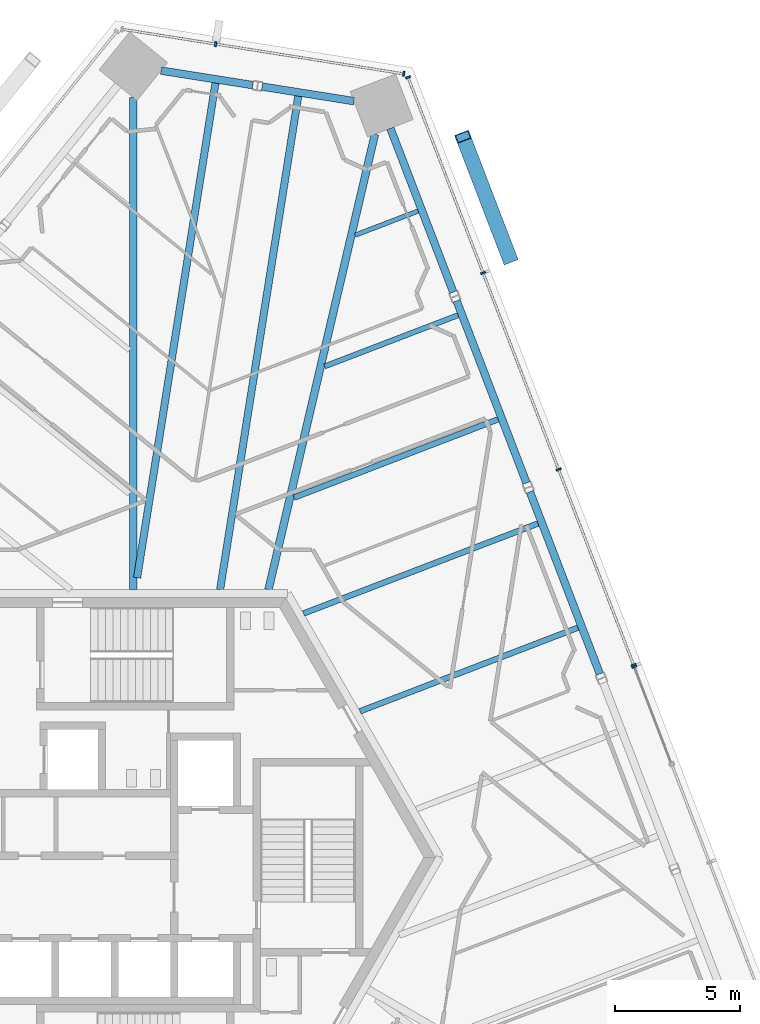
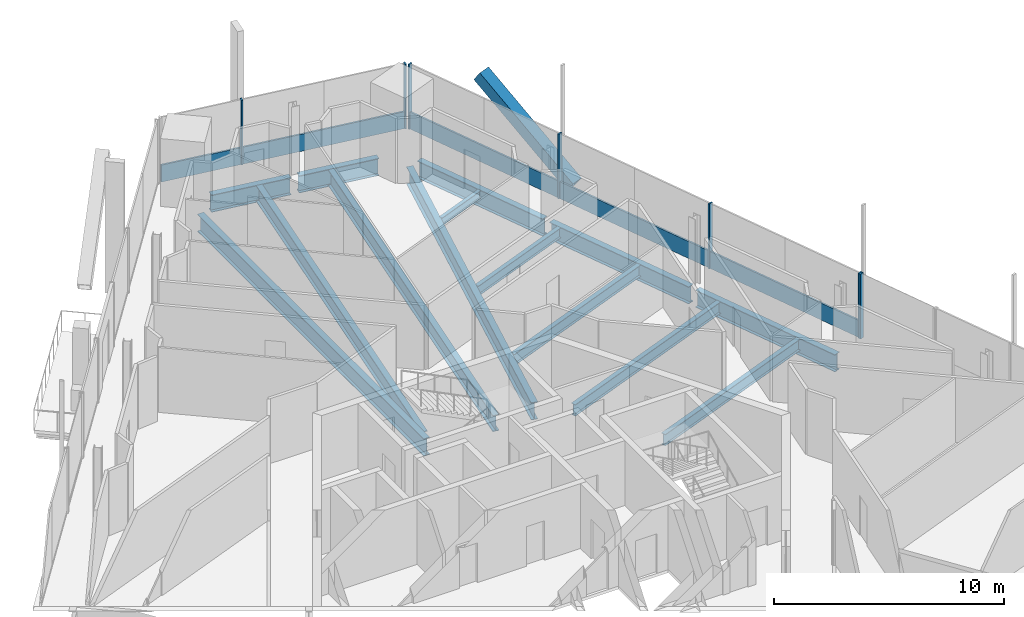
# One storey, part 9 of 23: 14 beams, 13 members, 3 elements without a shape of their own.
"""IFC4 building model written with IfcOpenShell, lengths in metres."""

import ifcopenshell
import ifcopenshell.guid

model = None  # the IFC model being written
_history = None  # IfcOwnerHistory: only IFC2X3 demands one
_inside = {}  # id of a spatial element -> (the spatial element, [elements in it])
_under = {}  # id of a project, library or spatial element -> (it, [spatial elements below it])
_declared = {}  # id of a project -> (the project, [libraries it declares])
_typed = {}  # id of a type object -> (the type object, [elements of that type])
_made_of = {}  # id of a material, layer set ... -> (it, [elements and type objects made of it])


def new_model(schema):
    """Start an empty IFC model of exactly this schema.

    Asked for "IFC4X3", IfcOpenShell would pick the latest addendum, in which some entities
    have other attributes; the version numbers below select the first issue.
    IFC2X3 requires an IfcOwnerHistory on every rooted entity: one is made here for all.
    """
    global model, _history
    if schema == "IFC4X3":
        model = ifcopenshell.file(schema_version=(4, 3, 0, 0))
    else:
        model = ifcopenshell.file(schema=schema)
    _inside.clear()
    _under.clear()
    _declared.clear()
    _typed.clear()
    _made_of.clear()
    _history = None
    if model.schema == "IFC2X3":
        org = make("IfcOrganization", Name="unknown")
        user = make(
            "IfcPersonAndOrganization",
            ThePerson=make("IfcPerson", FamilyName="unknown"),
            TheOrganization=org,
        )
        app = make(
            "IfcApplication",
            ApplicationDeveloper=org,
            Version="unknown",
            ApplicationFullName="unknown",
            ApplicationIdentifier="unknown",
        )
        _history = make(
            "IfcOwnerHistory",
            OwningUser=user,
            OwningApplication=app,
            ChangeAction="ADDED",
            CreationDate=0,
        )
    return model


def make(cls, **values):
    """One entity of the class cls with the attributes given. An attribute that is None is left unset."""
    return model.create_entity(
        cls, **{name: value for name, value in values.items() if value is not None}
    )


def rooted(cls, **values):
    """An entity with a GlobalId (a new one), such as an element, a storey or a relation."""
    return make(cls, GlobalId=ifcopenshell.guid.new(), OwnerHistory=_history, **values)


def si_unit(unit_type, name, prefix=None):
    """IfcSIUnit, for example si_unit("LENGTHUNIT", "METRE", prefix="MILLI")."""
    return make("IfcSIUnit", UnitType=unit_type, Prefix=prefix, Name=name)


def assignment(units):
    """IfcUnitAssignment: the units of a project."""
    return None if units is None else make("IfcUnitAssignment", Units=units)


def point(xyz):
    """IfcCartesianPoint."""
    return None if xyz is None else make("IfcCartesianPoint", Coordinates=xyz)


def direction(xyz):
    """IfcDirection."""
    return None if xyz is None else make("IfcDirection", DirectionRatios=xyz)


def frame(location, z_axis=None, x_axis=None):
    """IfcAxis2Placement3D, a coordinate frame: its origin and axes. An axis left out is left unset."""
    return make(
        "IfcAxis2Placement3D",
        Location=point(location),
        Axis=direction(z_axis),
        RefDirection=direction(x_axis),
    )


def frame_2d(location, x_axis=None):
    """IfcAxis2Placement2D, a coordinate frame in the plane: its origin and x axis."""
    return make(
        "IfcAxis2Placement2D", Location=point(location), RefDirection=direction(x_axis)
    )


def origin():
    """The frame at (0, 0, 0) with its axes left unset."""
    return frame((0.0, 0.0, 0.0))


def origin_2d():
    """The frame at (0, 0) in the plane with its x axis left unset."""
    return frame_2d((0.0, 0.0))


def place(relative_to, where):
    """IfcLocalPlacement: puts the frame where relative to a parent placement (None: the world)."""
    return make(
        "IfcLocalPlacement", PlacementRelTo=relative_to, RelativePlacement=where
    )


def context(
    kind, dimensions, precision=None, world=None, true_north=None, identifier=None
):
    """IfcGeometricRepresentationContext, for example the 3D "Model" context."""
    return make(
        "IfcGeometricRepresentationContext",
        ContextIdentifier=identifier,
        ContextType=kind,
        CoordinateSpaceDimension=dimensions,
        Precision=precision,
        WorldCoordinateSystem=world,
        TrueNorth=true_north,
    )


def subcontext(parent, identifier, kind, view, scale=None):
    """IfcGeometricRepresentationSubContext, for example "Body" below "Model"."""
    return make(
        "IfcGeometricRepresentationSubContext",
        ContextIdentifier=identifier,
        ContextType=kind,
        ParentContext=parent,
        TargetScale=scale,
        TargetView=view,
    )


def project(units=None, contexts=None):
    """IfcProject with its units and contexts."""
    return rooted(
        "IfcProject",
        Name="project",
        RepresentationContexts=contexts,
        UnitsInContext=assignment(units),
    )


def spatial(cls, under=None, at=None, **own):
    """A site, building, storey or space (cls), placed at a placement, below another one or the project."""
    s = rooted(cls, ObjectPlacement=at, **own)
    if under is not None:
        _under.setdefault(under.id(), (under, []))[1].append(s)
    return s


def profile(cls, at=None, kind="AREA", **sizes):
    """A parametric profile (cls). Its sizes go by their IFC names, for example OverallWidth=200.0."""
    return make(cls, ProfileType=kind, Position=at, **sizes)


def rectangle(**sizes):
    """IfcRectangleProfileDef."""
    return profile("IfcRectangleProfileDef", **sizes)


def hollow_rectangle(**sizes):
    """IfcRectangleHollowProfileDef."""
    return profile("IfcRectangleHollowProfileDef", **sizes)


def i_section(**sizes):
    """IfcIShapeProfileDef."""
    return profile("IfcIShapeProfileDef", **sizes)


def extrude(swept, where, along, depth):
    """IfcExtrudedAreaSolid: the profile swept, set in the frame where, extruded along a direction by depth."""
    return make(
        "IfcExtrudedAreaSolid",
        SweptArea=swept,
        Position=where,
        ExtrudedDirection=direction(along),
        Depth=depth,
    )


def shape(context_of_items, identifier, shape_type, items):
    """IfcShapeRepresentation: the items that make up one representation, for example the "Body"."""
    return make(
        "IfcShapeRepresentation",
        ContextOfItems=context_of_items,
        RepresentationIdentifier=identifier,
        RepresentationType=shape_type,
        Items=items,
    )


def source(mapping_origin, context_of_items, identifier, shape_type, items):
    """IfcRepresentationMap: a shape defined once, which mapped items show again and again."""
    return make(
        "IfcRepresentationMap",
        MappingOrigin=mapping_origin,
        MappedRepresentation=shape(context_of_items, identifier, shape_type, items),
    )


def transform(
    local_origin,
    x_axis=None,
    y_axis=None,
    z_axis=None,
    scale=None,
    scale2=None,
    scale3=None,
    uniform=True,
):
    """IfcCartesianTransformationOperator3D, or its non-uniform kind. x_axis, y_axis, z_axis: its Axis1, 2, 3."""
    if uniform:
        return make(
            "IfcCartesianTransformationOperator3D",
            Axis1=direction(x_axis),
            Axis2=direction(y_axis),
            LocalOrigin=point(local_origin),
            Scale=scale,
            Axis3=direction(z_axis),
        )
    return make(
        "IfcCartesianTransformationOperator3DnonUniform",
        Axis1=direction(x_axis),
        Axis2=direction(y_axis),
        LocalOrigin=point(local_origin),
        Scale=scale,
        Axis3=direction(z_axis),
        Scale2=scale2,
        Scale3=scale3,
    )


def mapped(mapping_source, mapping_target):
    """IfcMappedItem: shows the shape of a source again, moved by a transform."""
    return make(
        "IfcMappedItem", MappingSource=mapping_source, MappingTarget=mapping_target
    )


def material(Name=None, Category=None):
    """IfcMaterial."""
    return make("IfcMaterial", Name=Name, Category=Category)


def material_profile(
    of_material, cross_section, Name=None, Category=None, Priority=None
):
    """IfcMaterialProfile: a cross section and its material."""
    return make(
        "IfcMaterialProfile",
        Name=Name,
        Material=of_material,
        Profile=cross_section,
        Priority=Priority,
        Category=Category,
    )


def profile_set(profiles, Name=None, composite=None):
    """IfcMaterialProfileSet."""
    return make(
        "IfcMaterialProfileSet",
        Name=Name,
        MaterialProfiles=profiles,
        CompositeProfile=composite,
    )


def made_of(thing, what):
    """Note that an element or type object is made of a material, layer set ...; save() writes the relation."""
    if what is not None:
        _made_of.setdefault(what.id(), (what, []))[1].append(thing)
    return thing


def type_object(cls, material=None, **own):
    """A type object (cls), such as IfcWallType, which elements share."""
    return made_of(rooted(cls, **own), material)


def element(
    cls,
    number,
    at=None,
    inside=None,
    cuts=None,
    type_object=None,
    material=None,
    context=None,
    identifier="Body",
    shape_type=None,
    held_by="IfcProductDefinitionShape",
    body=None,
    shapes=None,
    **own,
):
    """One element of the class cls, such as IfcWall. Its Tag is "e" and its number.

    at: its placement. inside: the storey or other place that contains it. cuts: it is an
    opening in that element (IfcRelVoidsElement). A single representation is given by context,
    identifier, shape_type and body (its items); several are given by shapes. held_by: the class
    of the entity that holds the representations. save() writes the other relations.
    """
    e = rooted(cls, Tag="e%d" % number, ObjectPlacement=at, **own)
    if body is not None:
        shapes = [shape(context, identifier, shape_type, body)]
    if shapes is not None:
        e.Representation = make(held_by, Representations=shapes)
    if inside is not None:
        _inside.setdefault(inside.id(), (inside, []))[1].append(e)
    if cuts is not None:
        rooted(
            "IfcRelVoidsElement", RelatingBuildingElement=cuts, RelatedOpeningElement=e
        )
    if type_object is not None:
        _typed.setdefault(type_object.id(), (type_object, []))[1].append(e)
    return made_of(e, material)


def aggregate(whole, parts):
    """IfcRelAggregates: a whole, such as a stair, and the parts it consists of."""
    return rooted("IfcRelAggregates", RelatingObject=whole, RelatedObjects=parts)


def save(model, path):
    """Write the relations noted so far, then the file.

    IfcRelAggregates (storeys below a building ...), IfcRelContainedInSpatialStructure (elements
    in a storey), IfcRelDefinesByType, IfcRelAssociatesMaterial and IfcRelDeclares: one each for
    every whole, place, type object, material and project.
    """
    for whole, parts in _under.values():
        aggregate(whole, parts)
    for where, things in _inside.values():
        rooted(
            "IfcRelContainedInSpatialStructure",
            RelatedElements=things,
            RelatingStructure=where,
        )
    for kind, things in _typed.values():
        rooted("IfcRelDefinesByType", RelatedObjects=things, RelatingType=kind)
    for what, things in _made_of.values():
        rooted("IfcRelAssociatesMaterial", RelatedObjects=things, RelatingMaterial=what)
    for by, libraries in _declared.values():
        rooted("IfcRelDeclares", RelatingContext=by, RelatedDefinitions=libraries)
    model.write(path)


model = new_model("IFC4")

# Units and contexts
model_context = context("Model", 3, precision=1e-05, world=origin(), true_north=direction((0.0, 1.0)))
body_context = subcontext(model_context, "Body", "Model", "MODEL_VIEW")
ifc_project = project(units=[si_unit("LENGTHUNIT", "METRE"), si_unit("AREAUNIT", "SQUARE_METRE"), si_unit("VOLUMEUNIT", "CUBIC_METRE"), si_unit("PLANEANGLEUNIT", "RADIAN"), si_unit("MASSUNIT", "GRAM", prefix="KILO")], contexts=[model_context])

# Site, building, storey
site_placement = place(None, origin())
site = spatial("IfcSite", under=ifc_project, at=site_placement, CompositionType="ELEMENT")
building_placement = place(site_placement, origin())
building = spatial("IfcBuilding", under=site, at=building_placement, Name="Triune Harvest Tower", CompositionType="ELEMENT")
storey_placement = place(building_placement, frame((0.0, 0.0, 167.699951171875)))
storey = spatial("IfcBuildingStorey", under=building, at=storey_placement, Name="L43", CompositionType="ELEMENT", Elevation=167.699951171875)

# Beams
ifc_material_1 = material(Name="Steel ASTM A992 Gr 50", Category="steel")
ifc_material_profile_1 = material_profile(ifc_material_1, i_section(OverallWidth=0.3046875, OverallDepth=0.914306640625, WebThickness=0.0166015625, FlangeThickness=0.02587890625, at=origin_2d()), Name="W36x160")
ifc_profile_set_1 = profile_set([ifc_material_profile_1], Name="Steel ASTM A992 Gr 50")
beam_type_1 = type_object("IfcBeamType", Name="SB-1 Spandrel beam W36x160", PredefinedType="SPANDREL", material=ifc_profile_set_1)
shared_shape_1 = source(origin(), body_context, "Body", "SweptSolid", [
    extrude(i_section(OverallWidth=0.3046875, OverallDepth=0.914306640625, WebThickness=0.0166015625, FlangeThickness=0.02587890625, at=origin_2d()), origin(), (0.0, 0.0, 1.0), 7.013427734375),
])
beam_1_placement = place(storey_placement, frame((12.709716796875, 22.592041015625, -0.6171875), z_axis=(-0.358372513984, 0.93357867436, 0.0), x_axis=(-0.93357867436, -0.358372513984, 0.0)))
element("IfcBeam", 1, at=beam_1_placement, inside=storey, type_object=beam_type_1, Name="beam/L43/SB6", PredefinedType="SPANDREL", context=body_context, shape_type="MappedRepresentation", body=[
    mapped(shared_shape_1, transform((0.0, 0.0, 0.0), scale=1.0)),
])
shared_shape_2 = source(origin(), body_context, "Body", "SweptSolid", [
    extrude(i_section(OverallWidth=0.3046875, OverallDepth=0.914306640625, WebThickness=0.0166015625, FlangeThickness=0.02587890625, at=origin_2d()), origin(), (0.0, 0.0, 1.0), 7.8017578125),
])
for number, where, z_axis, x_axis, name in (
    (2, (18.569091796875, 7.327880859375, -0.6171875), (-0.358372974677, 0.933578497514, 0.0), (-0.933578497514, -0.358372974677, 0.0), "beam/L43/SB4"),
    (3, (15.639404296875, 14.9599609375, -0.6171875), (-0.358372974677, 0.933578497514, 0.0), (-0.933578497514, -0.358372974677, 0.0), "beam/L43/SB5"),
):
    element("IfcBeam", number, at=place(storey_placement, frame(where, z_axis=z_axis, x_axis=x_axis)), inside=storey, type_object=beam_type_1, Name=name, PredefinedType="SPANDREL", context=body_context, shape_type="MappedRepresentation", body=[
        mapped(shared_shape_2, transform((0.0, 0.0, 0.0), scale=1.0)),
    ])
shared_shape_3 = source(origin(), body_context, "Body", "SweptSolid", [
    extrude(i_section(OverallWidth=0.3046875, OverallDepth=0.914306640625, WebThickness=0.0166015625, FlangeThickness=0.02587890625, at=origin_2d()), origin(), (0.0, 0.0, 1.0), 3.71240234375),
])
for number, where, z_axis, x_axis, name in (
    (4, (8.735107421875, 30.225830078125, -0.6171875), (-0.987686063537, 0.156448841145, 0.0), (-0.156448841145, -0.987686063537, 0.0), "beam/L43/SB7"),
    (5, (4.699462890625, 30.864990234375, -0.6171875), (-0.987686063537, 0.156448841145, 0.0), (-0.156448841145, -0.987686063537, 0.0), "beam/L43/SB8"),
):
    element("IfcBeam", number, at=place(storey_placement, frame(where, z_axis=z_axis, x_axis=x_axis)), inside=storey, type_object=beam_type_1, Name=name, PredefinedType="SPANDREL", context=body_context, shape_type="MappedRepresentation", body=[
        mapped(shared_shape_3, transform((0.0, 0.0, 0.0), scale=1.0)),
    ])
ifc_material_2 = material(Name="Steel ASTM A992 Gr 50", Category="steel")
ifc_material_profile_2 = material_profile(ifc_material_2, i_section(OverallWidth=0.307373046875, OverallDepth=0.922119140625, WebThickness=0.018310546875, FlangeThickness=0.030029296875, at=origin_2d()), Name="W36x182")
ifc_profile_set_2 = profile_set([ifc_material_profile_2], Name="Steel ASTM A992 Gr 50")
beam_type_2 = type_object("IfcBeamType", Name="HG-2 Hip girder W36x182", PredefinedType="BEAM", material=ifc_profile_set_2)
shared_shape_4 = source(origin(), body_context, "Body", "SweptSolid", [
    extrude(i_section(OverallWidth=0.307373046875, OverallDepth=0.922119140625, WebThickness=0.018310546875, FlangeThickness=0.030029296875, at=origin_2d()), origin(), (0.0, 0.0, 1.0), 18.6962890625),
])
beam_2_placement = place(storey_placement, frame((9.578857421875, 28.902587890625, -0.620849609375), z_axis=(-0.227605246905, -0.973753486043, 0.0), x_axis=(0.973753486043, -0.227605246905, 0.0)))
element("IfcBeam", 6, at=beam_2_placement, inside=storey, type_object=beam_type_2, Name="beam/L43/HG3", PredefinedType="BEAM", context=body_context, shape_type="MappedRepresentation", body=[
    mapped(shared_shape_4, transform((0.0, 0.0, 0.0), scale=1.0)),
])
shared_shape_5 = source(origin(), body_context, "Body", "SweptSolid", [
    extrude(i_section(OverallWidth=0.307373046875, OverallDepth=0.922119140625, WebThickness=0.018310546875, FlangeThickness=0.030029296875, at=origin_2d()), origin(), (0.0, 0.0, 1.0), 19.670166015625),
])
beam_3_placement = place(storey_placement, frame((-0.0791015625, 30.3671875, -0.620849609375), z_axis=(0.0, -1.0, 0.0), x_axis=(1.0, 0.0, 0.0)))
element("IfcBeam", 7, at=beam_3_placement, inside=storey, type_object=beam_type_2, Name="beam/L43/HG4", PredefinedType="BEAM", context=body_context, shape_type="MappedRepresentation", body=[
    mapped(shared_shape_5, transform((0.0, 0.0, 0.0), scale=1.0)),
])
ifc_material_3 = material(Name="Steel ASTM A992 Gr 50", Category="steel")
ifc_material_profile_3 = material_profile(ifc_material_3, i_section(OverallWidth=0.22900390625, OverallDepth=0.612060546875, WebThickness=0.011962890625, FlangeThickness=0.01953125, at=origin_2d()), Name="W24x84")
ifc_profile_set_3 = profile_set([ifc_material_profile_3], Name="Steel ASTM A992 Gr 50")
beam_type_3 = type_object("IfcBeamType", Name="JT-3 Floor joist W24x84", PredefinedType="JOIST", material=ifc_profile_set_3)
shared_shape_6 = source(origin(), body_context, "Body", "SweptSolid", [
    extrude(i_section(OverallWidth=0.22900390625, OverallDepth=0.612060546875, WebThickness=0.011962890625, FlangeThickness=0.01953125, at=origin_2d()), origin(), (0.0, 0.0, 1.0), 9.33203125),
])
beam_4_placement = place(storey_placement, frame((17.694580078125, 9.180419921875, -0.466064453125), z_axis=(-0.933582072806, -0.358363660734, 0.0), x_axis=(0.358363660734, -0.933582072806, 0.0)))
element("IfcBeam", 8, at=beam_4_placement, inside=storey, type_object=beam_type_3, Name="beam/L43/JT6", PredefinedType="JOIST", context=body_context, shape_type="MappedRepresentation", body=[
    mapped(shared_shape_6, transform((0.0, 0.0, 0.0), scale=1.0)),
])
shared_shape_7 = source(origin(), body_context, "Body", "SweptSolid", [
    extrude(i_section(OverallWidth=0.22900390625, OverallDepth=0.612060546875, WebThickness=0.011962890625, FlangeThickness=0.01953125, at=origin_2d()), origin(), (0.0, 0.0, 1.0), 10.038330078125),
])
beam_5_placement = place(storey_placement, frame((16.0966796875, 13.343505859375, -0.466064453125), z_axis=(-0.933580465952, -0.358367846762, 0.0), x_axis=(0.358367846762, -0.933580465952, 0.0)))
element("IfcBeam", 9, at=beam_5_placement, inside=storey, type_object=beam_type_3, Name="beam/L43/JT7", PredefinedType="JOIST", context=body_context, shape_type="MappedRepresentation", body=[
    mapped(shared_shape_7, transform((0.0, 0.0, 0.0), scale=1.0)),
])
shared_shape_8 = source(origin(), body_context, "Body", "SweptSolid", [
    extrude(i_section(OverallWidth=0.22900390625, OverallDepth=0.612060546875, WebThickness=0.011962890625, FlangeThickness=0.01953125, at=origin_2d()), origin(), (0.0, 0.0, 1.0), 8.738037109375),
])
beam_6_placement = place(storey_placement, frame((14.498779296875, 17.50634765625, -0.466064453125), z_axis=(-0.933584472757, -0.358357408499, 0.0), x_axis=(0.358357408499, -0.933584472757, 0.0)))
element("IfcBeam", 10, at=beam_6_placement, inside=storey, type_object=beam_type_3, Name="beam/L43/JT8", PredefinedType="JOIST", context=body_context, shape_type="MappedRepresentation", body=[
    mapped(shared_shape_8, transform((0.0, 0.0, 0.0), scale=1.0)),
])
ifc_material_4 = material(Name="Steel ASTM A992 Gr 50", Category="steel")
ifc_material_profile_4 = material_profile(ifc_material_4, i_section(OverallWidth=0.2099609375, OverallDepth=0.535888671875, WebThickness=0.010986328125, FlangeThickness=0.017333984375, at=origin_2d()), Name="W21x68")
ifc_profile_set_4 = profile_set([ifc_material_profile_4], Name="Steel ASTM A992 Gr 50")
beam_type_4 = type_object("IfcBeamType", Name="JT-2 Floor joist W21x68", PredefinedType="JOIST", material=ifc_profile_set_4)
shared_shape_9 = source(origin(), body_context, "Body", "SweptSolid", [
    extrude(i_section(OverallWidth=0.2099609375, OverallDepth=0.535888671875, WebThickness=0.010986328125, FlangeThickness=0.017333984375, at=origin_2d()), origin(), (0.0, 0.0, 1.0), 5.712890625),
])
beam_7_placement = place(storey_placement, frame((12.90087890625, 21.669189453125, -0.427978515625), z_axis=(-0.933593203906, -0.358334661483, 0.0), x_axis=(0.358334661483, -0.933593203906, 0.0)))
element("IfcBeam", 11, at=beam_7_placement, inside=storey, type_object=beam_type_4, Name="beam/L43/JT9", PredefinedType="JOIST", context=body_context, shape_type="MappedRepresentation", body=[
    mapped(shared_shape_9, transform((0.0, 0.0, 0.0), scale=1.0)),
])
ifc_material_5 = material(Name="Steel ASTM A992 Gr 50", Category="steel")
ifc_material_profile_5 = material_profile(ifc_material_5, i_section(OverallWidth=0.180908203125, OverallDepth=0.41650390625, WebThickness=0.010986328125, FlangeThickness=0.01806640625, at=origin_2d()), Name="W16x57")
ifc_profile_set_5 = profile_set([ifc_material_profile_5], Name="Steel ASTM A992 Gr 50")
beam_type_5 = type_object("IfcBeamType", Name="JT-1 Floor joist W16x57", PredefinedType="JOIST", material=ifc_profile_set_5)
shared_shape_10 = source(origin(), body_context, "Body", "SweptSolid", [
    extrude(i_section(OverallWidth=0.180908203125, OverallDepth=0.41650390625, WebThickness=0.010986328125, FlangeThickness=0.01806640625, at=origin_2d()), origin(), (0.0, 0.0, 1.0), 2.687255859375),
])
beam_8_placement = place(storey_placement, frame((11.302734375, 25.832275390625, -0.3681640625), z_axis=(-0.933567867424, -0.358400665336, 0.0), x_axis=(0.358400665336, -0.933567867424, 0.0)))
element("IfcBeam", 12, at=beam_8_placement, inside=storey, type_object=beam_type_5, Name="beam/L43/JT10", PredefinedType="JOIST", context=body_context, shape_type="MappedRepresentation", body=[
    mapped(shared_shape_10, transform((0.0, 0.0, 0.0), scale=1.0)),
])
ifc_material_6 = material(Name="Steel ASTM A992 Gr 50", Category="steel")
ifc_material_profile_6 = material_profile(ifc_material_6, i_section(OverallWidth=0.2919921875, OverallDepth=0.8583984375, WebThickness=0.01708984375, FlangeThickness=0.031005859375, at=origin_2d()), Name="W33x169")
ifc_profile_set_6 = profile_set([ifc_material_profile_6], Name="Steel ASTM A992 Gr 50")
beam_type_6 = type_object("IfcBeamType", Name="JT-7 Floor joist W33x169", PredefinedType="JOIST", material=ifc_profile_set_6)
shared_shape_11 = source(origin(), body_context, "Body", "SweptSolid", [
    extrude(i_section(OverallWidth=0.2919921875, OverallDepth=0.8583984375, WebThickness=0.01708984375, FlangeThickness=0.031005859375, at=origin_2d()), origin(), (0.0, 0.0, 1.0), 19.97216796875),
])
beam_9_placement = place(storey_placement, frame((6.514404296875, 30.42333984375, -0.58935546875), z_axis=(-0.15643083518, -0.987688915502, 0.0), x_axis=(0.987688915502, -0.15643083518, 0.0)))
element("IfcBeam", 13, at=beam_9_placement, inside=storey, type_object=beam_type_6, Name="beam/L43/JT11", PredefinedType="JOIST", context=body_context, shape_type="MappedRepresentation", body=[
    mapped(shared_shape_11, transform((0.0, 0.0, 0.0), scale=1.0)),
])
shared_shape_12 = source(origin(), body_context, "Body", "SweptSolid", [
    extrude(i_section(OverallWidth=0.2919921875, OverallDepth=0.8583984375, WebThickness=0.01708984375, FlangeThickness=0.031005859375, at=origin_2d()), origin(), (0.0, 0.0, 1.0), 20.016845703125),
])
beam_10_placement = place(storey_placement, frame((3.205810546875, 30.947509765625, -0.58935546875), z_axis=(-0.156434798458, -0.987688287787, 0.0), x_axis=(0.987688287787, -0.156434798458, 0.0)))
element("IfcBeam", 14, at=beam_10_placement, inside=storey, type_object=beam_type_6, Name="beam/L43/JT12", PredefinedType="JOIST", context=body_context, shape_type="MappedRepresentation", body=[
    mapped(shared_shape_12, transform((0.0, 0.0, 0.0), scale=1.0)),
])

# Member
ifc_material_7 = material(Name="Steel ASTM A572 Gr 50", Category="steel")
ifc_material_profile_7 = material_profile(ifc_material_7, hollow_rectangle(XDim=0.60009765625, YDim=0.60009765625, WallThickness=0.0400390625, at=origin_2d()), Name="Box 600x600x40")
ifc_profile_set_7 = profile_set([ifc_material_profile_7], Name="Steel ASTM A572 Gr 50")
member_type_1 = type_object("IfcMemberType", Name="BR-2 Brace Box 600x600x40", PredefinedType="BRACE", material=ifc_profile_set_7)
shared_shape_13 = source(origin(), body_context, "Body", "SweptSolid", [
    extrude(hollow_rectangle(XDim=0.60009765625, YDim=0.60009765625, WallThickness=0.0400390625, at=origin_2d()), origin(), (0.0, 0.0, 1.0), 6.329345703125),
])
member_1_placement = place(storey_placement, frame((14.96435546875, 23.9423828125, 0.0), z_axis=(-0.294776040194, 0.767837196559, 0.568799723724), x_axis=(-0.933567833829, -0.358400752844, 0.0)))
element("IfcMember", 15, at=member_1_placement, inside=storey, type_object=member_type_1, Name="brace/B4-F1/d1/9", PredefinedType="BRACE", context=body_context, shape_type="MappedRepresentation", body=[
    mapped(shared_shape_13, transform((0.0, 0.0, 0.0), scale=1.0)),
])

# Curtain wall, member
ifc_material_8 = material(Name="Aluminium bronze anodised", Category="aluminium")
curtain_wall_type_1 = type_object("IfcCurtainWallType", Name="CW-1 Tower stick curtain wall", PredefinedType="NOTDEFINED", material=ifc_material_8)
curtain_wall_1_placement = place(storey_placement, origin())
curtain_wall_1 = element("IfcCurtainWall", 16, at=curtain_wall_1_placement, inside=storey, type_object=curtain_wall_type_1, Name="CW-1 B4-F1 L43 run 1001")
ifc_material_9 = material(Name="Aluminium bronze anodised", Category="aluminium")
ifc_material_profile_8 = material_profile(ifc_material_9, rectangle(XDim=0.199951171875, YDim=0.074951171875, at=origin_2d()), Name="MU-1 mullion 75 x 200")
ifc_profile_set_8 = profile_set([ifc_material_profile_8], Name="Aluminium bronze anodised")
member_type_2 = type_object("IfcMemberType", Name="MU-1 mullion 75 x 200", PredefinedType="MULLION", material=ifc_profile_set_8)
shared_shape_14 = source(origin(), body_context, "Body", "SweptSolid", [
    extrude(rectangle(XDim=0.199951171875, YDim=0.074951171875, at=origin_2d()), origin(), (0.0, 0.0, 1.0), 3.43994140625),
])
member_2_placement = place(storey_placement, frame((19.946044921875, 7.616455078125, 0.0), z_axis=(0.0, 0.0, 1.0), x_axis=(-0.933577029471, -0.358376798976, 0.0)))
member_2 = element("IfcMember", 17, at=member_2_placement, type_object=member_type_2, Name="CW-1 mullion B4-F1 1001.2", PredefinedType="MULLION", context=body_context, shape_type="MappedRepresentation", body=[
    mapped(shared_shape_14, transform((0.0, 0.0, 0.0), scale=1.0)),
])
aggregate(curtain_wall_1, [member_2])

# Curtain wall, members
ifc_material_10 = material(Name="Aluminium bronze anodised", Category="aluminium")
curtain_wall_type_2 = type_object("IfcCurtainWallType", Name="CW-7 Tower stick curtain wall with insulated spandrel infill", PredefinedType="NOTDEFINED", material=ifc_material_10)
curtain_wall_2_placement = place(storey_placement, origin())
curtain_wall_2 = element("IfcCurtainWall", 18, at=curtain_wall_2_placement, inside=storey, type_object=curtain_wall_type_2, Name="CW-7 B4-F1 L43 run 2001")
member_3_placement = place(storey_placement, frame((19.9189453125, 7.6865234375, 0.0), z_axis=(0.0, 0.0, 1.0), x_axis=(-0.933580581595, -0.358367545502, 0.0)))
member_3 = element("IfcMember", 19, at=member_3_placement, type_object=member_type_2, Name="CW-7 mullion B4-F1 2001.1", PredefinedType="MULLION", context=body_context, shape_type="MappedRepresentation", body=[
    mapped(shared_shape_14, transform((0.0, 0.0, 0.0), scale=1.0)),
])
member_4_placement = place(storey_placement, frame((16.917724609375, 15.5048828125, 0.0), z_axis=(0.0, 0.0, 1.0), x_axis=(-0.933580581595, -0.358367545502, 0.0)))
member_4 = element("IfcMember", 20, at=member_4_placement, type_object=member_type_2, Name="CW-7 mullion B4-F1 2001.3", PredefinedType="MULLION", context=body_context, shape_type="MappedRepresentation", body=[
    mapped(shared_shape_14, transform((0.0, 0.0, 0.0), scale=1.0)),
])
member_5_placement = place(storey_placement, frame((13.903076171875, 23.3583984375, 0.0), z_axis=(0.0, 0.0, 1.0), x_axis=(-0.933580581595, -0.358367545502, 0.0)))
member_5 = element("IfcMember", 21, at=member_5_placement, type_object=member_type_2, Name="CW-7 mullion B4-F1 2001.5", PredefinedType="MULLION", context=body_context, shape_type="MappedRepresentation", body=[
    mapped(shared_shape_14, transform((0.0, 0.0, 0.0), scale=1.0)),
])
member_6_placement = place(storey_placement, frame((10.90185546875, 31.177001953125, 0.0), z_axis=(0.0, 0.0, 1.0), x_axis=(-0.933580581595, -0.358367545502, 0.0)))
member_6 = element("IfcMember", 22, at=member_6_placement, type_object=member_type_2, Name="CW-7 mullion B4-F1 2001.7", PredefinedType="MULLION", context=body_context, shape_type="MappedRepresentation", body=[
    mapped(shared_shape_14, transform((0.0, 0.0, 0.0), scale=1.0)),
])

curtain_wall_3_placement = place(storey_placement, origin())
curtain_wall_3 = element("IfcCurtainWall", 23, at=curtain_wall_3_placement, inside=storey, type_object=curtain_wall_type_2, Name="CW-7 B4-F2 L43 run 1")
member_7_placement = place(storey_placement, frame((10.730224609375, 31.31591796875, 0.0), z_axis=(0.0, 0.0, 1.0), x_axis=(-0.156432728322, -0.987688615663, 0.0)))
member_7 = element("IfcMember", 24, at=member_7_placement, type_object=member_type_2, Name="CW-7 mullion B4-F2 1.1", PredefinedType="MULLION", context=body_context, shape_type="MappedRepresentation", body=[
    mapped(shared_shape_14, transform((0.0, 0.0, 0.0), scale=1.0)),
])
member_8_placement = place(storey_placement, frame((3.21240234375, 32.506591796875, 0.0), z_axis=(0.0, 0.0, 1.0), x_axis=(-0.156432728322, -0.987688615663, 0.0)))
member_8 = element("IfcMember", 25, at=member_8_placement, type_object=member_type_2, Name="CW-7 mullion B4-F2 1.3", PredefinedType="MULLION", context=body_context, shape_type="MappedRepresentation", body=[
    mapped(shared_shape_14, transform((0.0, 0.0, 0.0), scale=1.0)),
])
ifc_material_11 = material(Name="Aluminium bronze anodised", Category="aluminium")
ifc_material_profile_9 = material_profile(ifc_material_11, rectangle(XDim=0.090087890625, YDim=0.89990234375, at=origin_2d()), Name="TR-1 transom 90 x 900")
ifc_profile_set_9 = profile_set([ifc_material_profile_9], Name="Aluminium bronze anodised")
member_type_3 = type_object("IfcMemberType", Name="TR-1 transom 90 x 900", PredefinedType="USERDEFINED", material=ifc_profile_set_9)
shared_shape_15 = source(origin(), body_context, "Body", "SweptSolid", [
    extrude(rectangle(XDim=0.090087890625, YDim=0.89990234375, at=origin_2d()), origin(), (0.0, 0.0, 1.0), 7.536376953125),
])
member_9_placement = place(storey_placement, frame((10.693115234375, 31.32177734375, 0.449951171875), z_axis=(-0.987688256511, 0.156434995923, 0.0), x_axis=(-0.156434995923, -0.987688256511, 0.0)))
member_9 = element("IfcMember", 26, at=member_9_placement, type_object=member_type_3, Name="CW-7 transom B4-F2 1.1", ObjectType="TRANSOM", PredefinedType="USERDEFINED", context=body_context, shape_type="MappedRepresentation", body=[
    mapped(shared_shape_15, transform((0.0, 0.0, 0.0), scale=1.0)),
])
shared_shape_16 = source(origin(), body_context, "Body", "SweptSolid", [
    extrude(rectangle(XDim=0.090087890625, YDim=0.89990234375, at=origin_2d()), origin(), (0.0, 0.0, 1.0), 3.7119140625),
])
member_10_placement = place(storey_placement, frame((3.17529296875, 32.512451171875, 0.449951171875), z_axis=(-0.987682843675, 0.156469167284, 0.0), x_axis=(-0.156469167284, -0.987682843675, 0.0)))
member_10 = element("IfcMember", 27, at=member_10_placement, type_object=member_type_3, Name="CW-7 transom B4-F2 1.2", ObjectType="TRANSOM", PredefinedType="USERDEFINED", context=body_context, shape_type="MappedRepresentation", body=[
    mapped(shared_shape_16, transform((0.0, 0.0, 0.0), scale=1.0)),
])
aggregate(curtain_wall_3, [member_7, member_8, member_9, member_10])

# Member
shared_shape_17 = source(origin(), body_context, "Body", "SweptSolid", [
    extrude(rectangle(XDim=0.090087890625, YDim=0.89990234375, at=origin_2d()), origin(), (0.0, 0.0, 1.0), 8.299560546875),
])
member_11_placement = place(storey_placement, frame((13.8896484375, 23.3935546875, 0.449951171875), z_axis=(-0.358375823546, 0.933577403913, 0.0), x_axis=(-0.933577403913, -0.358375823546, 0.0)))
member_11 = element("IfcMember", 28, at=member_11_placement, type_object=member_type_3, Name="CW-7 transom B4-F1 2001.3", ObjectType="TRANSOM", PredefinedType="USERDEFINED", context=body_context, shape_type="MappedRepresentation", body=[
    mapped(shared_shape_17, transform((0.0, 0.0, 0.0), scale=1.0)),
])

shared_shape_18 = source(origin(), body_context, "Body", "SweptSolid", [
    extrude(rectangle(XDim=0.090087890625, YDim=0.89990234375, at=origin_2d()), origin(), (0.0, 0.0, 1.0), 8.337158203125),
])
member_12_placement = place(storey_placement, frame((16.904296875, 15.5400390625, 0.449951171875), z_axis=(-0.358368733061, 0.933580125733, 0.0), x_axis=(-0.933580125733, -0.358368733061, 0.0)))
member_12 = element("IfcMember", 29, at=member_12_placement, type_object=member_type_3, Name="CW-7 transom B4-F1 2001.2", ObjectType="TRANSOM", PredefinedType="USERDEFINED", context=body_context, shape_type="MappedRepresentation", body=[
    mapped(shared_shape_18, transform((0.0, 0.0, 0.0), scale=1.0)),
])

shared_shape_19 = source(origin(), body_context, "Body", "SweptSolid", [
    extrude(rectangle(XDim=0.090087890625, YDim=0.89990234375, at=origin_2d()), origin(), (0.0, 0.0, 1.0), 8.2998046875),
])
member_13_placement = place(storey_placement, frame((19.905517578125, 7.721435546875, 0.449951171875), z_axis=(-0.35836598202, 0.933581181757, 0.0), x_axis=(-0.933581181757, -0.35836598202, 0.0)))
member_13 = element("IfcMember", 30, at=member_13_placement, type_object=member_type_3, Name="CW-7 transom B4-F1 2001.1", ObjectType="TRANSOM", PredefinedType="USERDEFINED", context=body_context, shape_type="MappedRepresentation", body=[
    mapped(shared_shape_19, transform((0.0, 0.0, 0.0), scale=1.0)),
])

aggregate(curtain_wall_2, [member_3, member_4, member_5, member_6, member_13, member_12, member_11])

save(model, "model.ifc")
